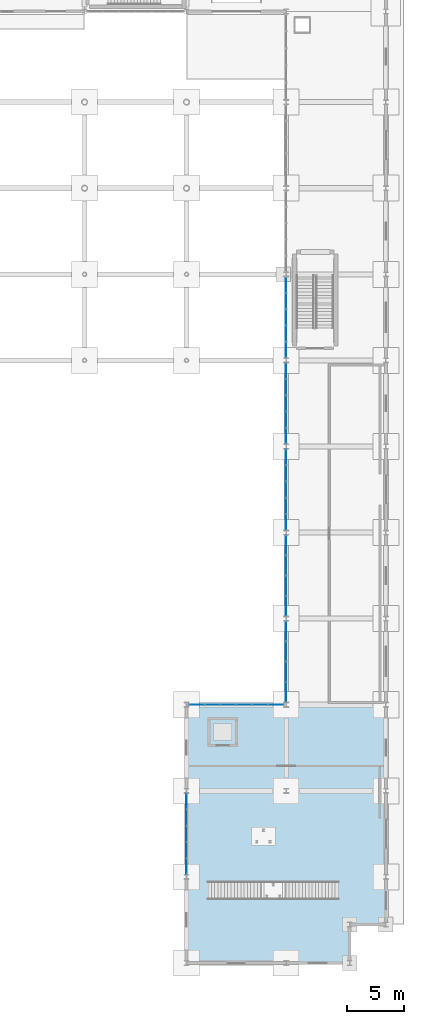
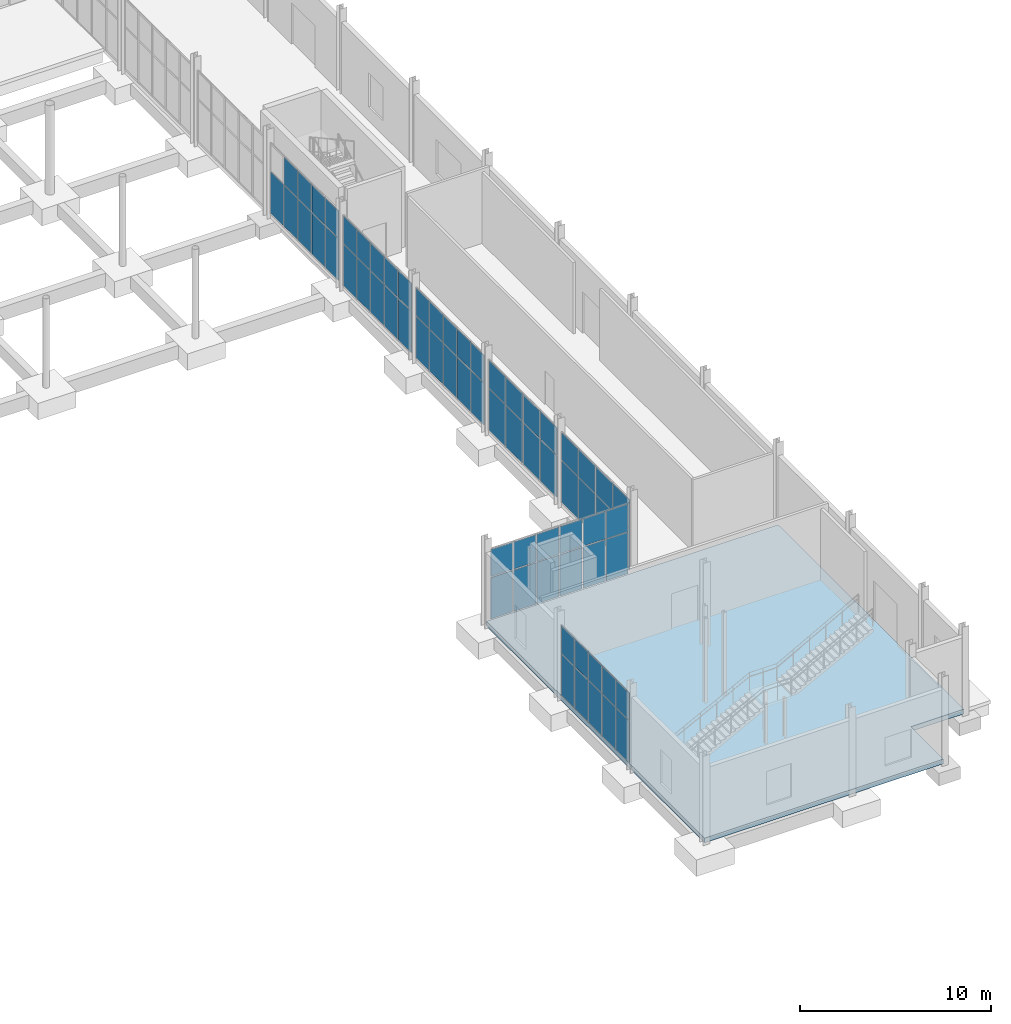
# One storey, part 66 of 95: 67 plates, 1 slab, 9 elements without a shape of their own.
"""IFC4 building model written with IfcOpenShell, lengths in metres."""

from ifc_helpers import new_model, si_unit, direction, frame, origin, origin_2d, place, context, subcontext, project, spatial, polyline, rectangle, outline, extrude, material, layer, layer_set, type_object, element, aggregate, save


model = new_model("IFC4")

# Units and contexts
model_context = context("Model", 3, precision=1e-05, world=origin(), true_north=direction((0.0, 1.0)))
body_context = subcontext(model_context, "Body", "Model", "MODEL_VIEW")
ifc_project = project(units=[si_unit("LENGTHUNIT", "METRE"), si_unit("AREAUNIT", "SQUARE_METRE"), si_unit("VOLUMEUNIT", "CUBIC_METRE"), si_unit("PLANEANGLEUNIT", "RADIAN"), si_unit("MASSUNIT", "GRAM", prefix="KILO")], contexts=[model_context])

# Site, building, storey
site_placement = place(None, origin())
site = spatial("IfcSite", under=ifc_project, at=site_placement, CompositionType="ELEMENT")
building_placement = place(site_placement, origin())
building = spatial("IfcBuilding", under=site, at=building_placement, Name="Shengluoqiao Park Theatre", CompositionType="ELEMENT")
storey_placement = place(building_placement, origin())
storey = spatial("IfcBuildingStorey", under=building, at=storey_placement, Name="L00", CompositionType="ELEMENT", Elevation=0.0)

# Curtain wall, plates
ifc_material_1 = material(Name="Aluminium 6063-T6", Category="aluminium")
curtain_wall_type = type_object("IfcCurtainWallType", Name="ENV-CW-COURT", PredefinedType="NOTDEFINED", material=ifc_material_1)
curtain_wall_1_placement = place(storey_placement, origin())
curtain_wall_1 = element("IfcCurtainWall", 1, at=curtain_wall_1_placement, inside=storey, type_object=curtain_wall_type, Name="L00 Curtain Wall CWX-L00-0168", PredefinedType="NOTDEFINED")
ifc_material_2 = material(Name="Insulated glass", Category="glass")
ifc_layer_1 = layer(ifc_material_2, 0.0380859375, Name="Insulated glass")
ifc_layer_set_1 = layer_set([ifc_layer_1], Name="Insulated glass")
plate_type = type_object("IfcPlateType", Name="ENV-GLZ-GL-38", PredefinedType="CURTAIN_PANEL", material=ifc_layer_set_1)
plate_1_placement = place(storey_placement, frame((157.199951171875, 23.91796875, 0.06005859375), z_axis=(0.0, 0.0, 1.0), x_axis=(0.0, 1.0, 0.0)))
plate_1 = element("IfcPlate", 2, at=plate_1_placement, type_object=plate_type, Name="CW-05 panel 1.1", PredefinedType="CURTAIN_PANEL", context=body_context, shape_type="SweptSolid", body=[
    extrude(rectangle(XDim=1.7080078125, YDim=0.0380859375, at=origin_2d()), origin(), (0.0, 0.0, 1.0), 2.639892578125),
])
plate_2_placement = place(storey_placement, frame((157.199951171875, 23.91796875, 2.760009765625), z_axis=(0.0, 0.0, 1.0), x_axis=(0.0, 1.0, 0.0)))
plate_2 = element("IfcPlate", 3, at=plate_2_placement, type_object=plate_type, Name="CW-05 panel 1.2", PredefinedType="CURTAIN_PANEL", context=body_context, shape_type="SweptSolid", body=[
    extrude(rectangle(XDim=1.7080078125, YDim=0.0380859375, at=origin_2d()), origin(), (0.0, 0.0, 1.0), 1.72998046875),
])
plate_3_placement = place(storey_placement, frame((157.199951171875, 25.68603515625, 0.06005859375), z_axis=(0.0, 0.0, 1.0), x_axis=(0.0, 1.0, 0.0)))
plate_3 = element("IfcPlate", 4, at=plate_3_placement, type_object=plate_type, Name="CW-05 panel 2.1", PredefinedType="CURTAIN_PANEL", context=body_context, shape_type="SweptSolid", body=[
    extrude(rectangle(XDim=1.7080078125, YDim=0.0380859375, at=origin_2d()), origin(), (0.0, 0.0, 1.0), 2.639892578125),
])
plate_4_placement = place(storey_placement, frame((157.199951171875, 25.68603515625, 2.760009765625), z_axis=(0.0, 0.0, 1.0), x_axis=(0.0, 1.0, 0.0)))
plate_4 = element("IfcPlate", 5, at=plate_4_placement, type_object=plate_type, Name="CW-05 panel 2.2", PredefinedType="CURTAIN_PANEL", context=body_context, shape_type="SweptSolid", body=[
    extrude(rectangle(XDim=1.7080078125, YDim=0.0380859375, at=origin_2d()), origin(), (0.0, 0.0, 1.0), 1.72998046875),
])
aggregate(curtain_wall_1, [plate_1, plate_2, plate_3, plate_4])

curtain_wall_2_placement = place(storey_placement, origin())
curtain_wall_2 = element("IfcCurtainWall", 6, at=curtain_wall_2_placement, inside=storey, type_object=curtain_wall_type, Name="L00 Curtain Wall CWX-L00-0169", PredefinedType="NOTDEFINED")
plate_5_placement = place(storey_placement, frame((157.199951171875, 27.513916015625, 0.06005859375), z_axis=(0.0, 0.0, 1.0), x_axis=(0.0, 1.0, 0.0)))
plate_5 = element("IfcPlate", 7, at=plate_5_placement, type_object=plate_type, Name="CW-05 panel 1.1", PredefinedType="CURTAIN_PANEL", context=body_context, shape_type="SweptSolid", body=[
    extrude(rectangle(XDim=1.7080078125, YDim=0.0380859375, at=origin_2d()), origin(), (0.0, 0.0, 1.0), 2.639892578125),
])
plate_6_placement = place(storey_placement, frame((157.199951171875, 27.513916015625, 2.760009765625), z_axis=(0.0, 0.0, 1.0), x_axis=(0.0, 1.0, 0.0)))
plate_6 = element("IfcPlate", 8, at=plate_6_placement, type_object=plate_type, Name="CW-05 panel 1.2", PredefinedType="CURTAIN_PANEL", context=body_context, shape_type="SweptSolid", body=[
    extrude(rectangle(XDim=1.7080078125, YDim=0.0380859375, at=origin_2d()), origin(), (0.0, 0.0, 1.0), 1.72998046875),
])
plate_7_placement = place(storey_placement, frame((157.199951171875, 29.281982421875, 0.06005859375), z_axis=(0.0, 0.0, 1.0), x_axis=(0.0, 1.0, 0.0)))
plate_7 = element("IfcPlate", 9, at=plate_7_placement, type_object=plate_type, Name="CW-05 panel 2.1", PredefinedType="CURTAIN_PANEL", context=body_context, shape_type="SweptSolid", body=[
    extrude(rectangle(XDim=1.7080078125, YDim=0.0380859375, at=origin_2d()), origin(), (0.0, 0.0, 1.0), 2.639892578125),
])
plate_8_placement = place(storey_placement, frame((157.199951171875, 29.281982421875, 2.760009765625), z_axis=(0.0, 0.0, 1.0), x_axis=(0.0, 1.0, 0.0)))
plate_8 = element("IfcPlate", 10, at=plate_8_placement, type_object=plate_type, Name="CW-05 panel 2.2", PredefinedType="CURTAIN_PANEL", context=body_context, shape_type="SweptSolid", body=[
    extrude(rectangle(XDim=1.7080078125, YDim=0.0380859375, at=origin_2d()), origin(), (0.0, 0.0, 1.0), 1.72998046875),
])
aggregate(curtain_wall_2, [plate_5, plate_6, plate_7, plate_8])

curtain_wall_3_placement = place(storey_placement, origin())
curtain_wall_3 = element("IfcCurtainWall", 11, at=curtain_wall_3_placement, inside=storey, type_object=curtain_wall_type, Name="L00 Curtain Wall CWX-L00-0170", PredefinedType="NOTDEFINED")
plate_9_placement = place(storey_placement, frame((157.199951171875, 31.51806640625, 0.06005859375), z_axis=(0.0, 0.0, 1.0), x_axis=(0.0, 1.0, 0.0)))
plate_9 = element("IfcPlate", 12, at=plate_9_placement, type_object=plate_type, Name="CW-05 panel 1.1", PredefinedType="CURTAIN_PANEL", context=body_context, shape_type="SweptSolid", body=[
    extrude(rectangle(XDim=1.7080078125, YDim=0.0380859375, at=origin_2d()), origin(), (0.0, 0.0, 1.0), 2.639892578125),
])
plate_10_placement = place(storey_placement, frame((157.199951171875, 31.51806640625, 2.760009765625), z_axis=(0.0, 0.0, 1.0), x_axis=(0.0, 1.0, 0.0)))
plate_10 = element("IfcPlate", 13, at=plate_10_placement, type_object=plate_type, Name="CW-05 panel 1.2", PredefinedType="CURTAIN_PANEL", context=body_context, shape_type="SweptSolid", body=[
    extrude(rectangle(XDim=1.7080078125, YDim=0.0380859375, at=origin_2d()), origin(), (0.0, 0.0, 1.0), 1.72998046875),
])
plate_11_placement = place(storey_placement, frame((157.199951171875, 33.285888671875, 0.06005859375), z_axis=(0.0, 0.0, 1.0), x_axis=(0.0, 1.0, 0.0)))
plate_11 = element("IfcPlate", 14, at=plate_11_placement, type_object=plate_type, Name="CW-05 panel 2.1", PredefinedType="CURTAIN_PANEL", context=body_context, shape_type="SweptSolid", body=[
    extrude(rectangle(XDim=1.7080078125, YDim=0.0380859375, at=origin_2d()), origin(), (0.0, 0.0, 1.0), 2.639892578125),
])
plate_12_placement = place(storey_placement, frame((157.199951171875, 33.285888671875, 2.760009765625), z_axis=(0.0, 0.0, 1.0), x_axis=(0.0, 1.0, 0.0)))
plate_12 = element("IfcPlate", 15, at=plate_12_placement, type_object=plate_type, Name="CW-05 panel 2.2", PredefinedType="CURTAIN_PANEL", context=body_context, shape_type="SweptSolid", body=[
    extrude(rectangle(XDim=1.7080078125, YDim=0.0380859375, at=origin_2d()), origin(), (0.0, 0.0, 1.0), 1.72998046875),
])
aggregate(curtain_wall_3, [plate_9, plate_10, plate_11, plate_12])

curtain_wall_4_placement = place(storey_placement, origin())
curtain_wall_4 = element("IfcCurtainWall", 16, at=curtain_wall_4_placement, inside=storey, type_object=curtain_wall_type, Name="L00 Curtain Wall CWX-L00-0171", PredefinedType="NOTDEFINED")
plate_13_placement = place(storey_placement, frame((157.199951171875, 35.114013671875, 0.06005859375), z_axis=(0.0, 0.0, 1.0), x_axis=(0.0, 1.0, 0.0)))
plate_13 = element("IfcPlate", 17, at=plate_13_placement, type_object=plate_type, Name="CW-05 panel 1.1", PredefinedType="CURTAIN_PANEL", context=body_context, shape_type="SweptSolid", body=[
    extrude(rectangle(XDim=1.7080078125, YDim=0.0380859375, at=origin_2d()), origin(), (0.0, 0.0, 1.0), 2.639892578125),
])
plate_14_placement = place(storey_placement, frame((157.199951171875, 35.114013671875, 2.760009765625), z_axis=(0.0, 0.0, 1.0), x_axis=(0.0, 1.0, 0.0)))
plate_14 = element("IfcPlate", 18, at=plate_14_placement, type_object=plate_type, Name="CW-05 panel 1.2", PredefinedType="CURTAIN_PANEL", context=body_context, shape_type="SweptSolid", body=[
    extrude(rectangle(XDim=1.7080078125, YDim=0.0380859375, at=origin_2d()), origin(), (0.0, 0.0, 1.0), 1.72998046875),
])
plate_15_placement = place(storey_placement, frame((157.199951171875, 36.882080078125, 0.06005859375), z_axis=(0.0, 0.0, 1.0), x_axis=(0.0, 1.0, 0.0)))
plate_15 = element("IfcPlate", 19, at=plate_15_placement, type_object=plate_type, Name="CW-05 panel 2.1", PredefinedType="CURTAIN_PANEL", context=body_context, shape_type="SweptSolid", body=[
    extrude(rectangle(XDim=1.7080078125, YDim=0.0380859375, at=origin_2d()), origin(), (0.0, 0.0, 1.0), 2.639892578125),
])
plate_16_placement = place(storey_placement, frame((157.199951171875, 36.882080078125, 2.760009765625), z_axis=(0.0, 0.0, 1.0), x_axis=(0.0, 1.0, 0.0)))
plate_16 = element("IfcPlate", 20, at=plate_16_placement, type_object=plate_type, Name="CW-05 panel 2.2", PredefinedType="CURTAIN_PANEL", context=body_context, shape_type="SweptSolid", body=[
    extrude(rectangle(XDim=1.7080078125, YDim=0.0380859375, at=origin_2d()), origin(), (0.0, 0.0, 1.0), 1.72998046875),
])
aggregate(curtain_wall_4, [plate_13, plate_14, plate_15, plate_16])

curtain_wall_5_placement = place(storey_placement, origin())
curtain_wall_5 = element("IfcCurtainWall", 21, at=curtain_wall_5_placement, inside=storey, type_object=curtain_wall_type, Name="L00 Curtain Wall CWX-L00-0172", PredefinedType="NOTDEFINED")
plate_17_placement = place(storey_placement, frame((157.199951171875, 38.938232421875, 0.06005859375), z_axis=(0.0, 0.0, 1.0), x_axis=(0.0, 1.0, 0.0)))
plate_17 = element("IfcPlate", 22, at=plate_17_placement, type_object=plate_type, Name="CW-05 panel 1.1", PredefinedType="CURTAIN_PANEL", context=body_context, shape_type="SweptSolid", body=[
    extrude(rectangle(XDim=1.348388671875, YDim=0.0380859375, at=origin_2d()), origin(), (0.0, 0.0, 1.0), 2.639892578125),
])
plate_18_placement = place(storey_placement, frame((157.199951171875, 38.938232421875, 2.760009765625), z_axis=(0.0, 0.0, 1.0), x_axis=(0.0, 1.0, 0.0)))
plate_18 = element("IfcPlate", 23, at=plate_18_placement, type_object=plate_type, Name="CW-05 panel 1.2", PredefinedType="CURTAIN_PANEL", context=body_context, shape_type="SweptSolid", body=[
    extrude(rectangle(XDim=1.348388671875, YDim=0.0380859375, at=origin_2d()), origin(), (0.0, 0.0, 1.0), 1.72998046875),
])
plate_19_placement = place(storey_placement, frame((157.199951171875, 40.361572265625, 0.06005859375), z_axis=(0.0, 0.0, 1.0), x_axis=(0.0, 1.0, 0.0)))
plate_19 = element("IfcPlate", 24, at=plate_19_placement, type_object=plate_type, Name="CW-05 panel 2.1", PredefinedType="CURTAIN_PANEL", context=body_context, shape_type="SweptSolid", body=[
    extrude(rectangle(XDim=1.37841796875, YDim=0.0380859375, at=origin_2d()), origin(), (0.0, 0.0, 1.0), 2.639892578125),
])
plate_20_placement = place(storey_placement, frame((157.199951171875, 40.361572265625, 2.760009765625), z_axis=(0.0, 0.0, 1.0), x_axis=(0.0, 1.0, 0.0)))
plate_20 = element("IfcPlate", 25, at=plate_20_placement, type_object=plate_type, Name="CW-05 panel 2.2", PredefinedType="CURTAIN_PANEL", context=body_context, shape_type="SweptSolid", body=[
    extrude(rectangle(XDim=1.37841796875, YDim=0.0380859375, at=origin_2d()), origin(), (0.0, 0.0, 1.0), 1.72998046875),
])
plate_21_placement = place(storey_placement, frame((157.199951171875, 41.800048828125, 0.06005859375), z_axis=(0.0, 0.0, 1.0), x_axis=(0.0, 1.0, 0.0)))
plate_21 = element("IfcPlate", 26, at=plate_21_placement, type_object=plate_type, Name="CW-05 panel 3.1", PredefinedType="CURTAIN_PANEL", context=body_context, shape_type="SweptSolid", body=[
    extrude(rectangle(XDim=1.37841796875, YDim=0.0380859375, at=origin_2d()), origin(), (0.0, 0.0, 1.0), 2.639892578125),
])
plate_22_placement = place(storey_placement, frame((157.199951171875, 41.800048828125, 2.760009765625), z_axis=(0.0, 0.0, 1.0), x_axis=(0.0, 1.0, 0.0)))
plate_22 = element("IfcPlate", 27, at=plate_22_placement, type_object=plate_type, Name="CW-05 panel 3.2", PredefinedType="CURTAIN_PANEL", context=body_context, shape_type="SweptSolid", body=[
    extrude(rectangle(XDim=1.37841796875, YDim=0.0380859375, at=origin_2d()), origin(), (0.0, 0.0, 1.0), 1.72998046875),
])
plate_23_placement = place(storey_placement, frame((157.199951171875, 43.23828125, 0.06005859375), z_axis=(0.0, 0.0, 1.0), x_axis=(0.0, 1.0, 0.0)))
plate_23 = element("IfcPlate", 28, at=plate_23_placement, type_object=plate_type, Name="CW-05 panel 4.1", PredefinedType="CURTAIN_PANEL", context=body_context, shape_type="SweptSolid", body=[
    extrude(rectangle(XDim=1.37841796875, YDim=0.0380859375, at=origin_2d()), origin(), (0.0, 0.0, 1.0), 2.639892578125),
])
plate_24_placement = place(storey_placement, frame((157.199951171875, 43.23828125, 2.760009765625), z_axis=(0.0, 0.0, 1.0), x_axis=(0.0, 1.0, 0.0)))
plate_24 = element("IfcPlate", 29, at=plate_24_placement, type_object=plate_type, Name="CW-05 panel 4.2", PredefinedType="CURTAIN_PANEL", context=body_context, shape_type="SweptSolid", body=[
    extrude(rectangle(XDim=1.37841796875, YDim=0.0380859375, at=origin_2d()), origin(), (0.0, 0.0, 1.0), 1.72998046875),
])
plate_25_placement = place(storey_placement, frame((157.199951171875, 44.661865234375, 0.06005859375), z_axis=(0.0, 0.0, 1.0), x_axis=(0.0, 1.0, 0.0)))
plate_25 = element("IfcPlate", 30, at=plate_25_placement, type_object=plate_type, Name="CW-05 panel 5.1", PredefinedType="CURTAIN_PANEL", context=body_context, shape_type="SweptSolid", body=[
    extrude(rectangle(XDim=1.348388671875, YDim=0.0380859375, at=origin_2d()), origin(), (0.0, 0.0, 1.0), 2.639892578125),
])
plate_26_placement = place(storey_placement, frame((157.199951171875, 44.661865234375, 2.760009765625), z_axis=(0.0, 0.0, 1.0), x_axis=(0.0, 1.0, 0.0)))
plate_26 = element("IfcPlate", 31, at=plate_26_placement, type_object=plate_type, Name="CW-05 panel 5.2", PredefinedType="CURTAIN_PANEL", context=body_context, shape_type="SweptSolid", body=[
    extrude(rectangle(XDim=1.348388671875, YDim=0.0380859375, at=origin_2d()), origin(), (0.0, 0.0, 1.0), 1.72998046875),
])
aggregate(curtain_wall_5, [plate_17, plate_18, plate_19, plate_20, plate_21, plate_22, plate_23, plate_24, plate_25, plate_26])

curtain_wall_6_placement = place(storey_placement, origin())
curtain_wall_6 = element("IfcCurtainWall", 32, at=curtain_wall_6_placement, inside=storey, type_object=curtain_wall_type, Name="L00 Curtain Wall CWX-L00-0173", PredefinedType="NOTDEFINED")
plate_27_placement = place(storey_placement, frame((157.199951171875, 46.5380859375, 0.06005859375), z_axis=(0.0, 0.0, 1.0), x_axis=(0.0, 1.0, 0.0)))
plate_27 = element("IfcPlate", 33, at=plate_27_placement, type_object=plate_type, Name="CW-05 panel 1.1", PredefinedType="CURTAIN_PANEL", context=body_context, shape_type="SweptSolid", body=[
    extrude(rectangle(XDim=1.348388671875, YDim=0.0380859375, at=origin_2d()), origin(), (0.0, 0.0, 1.0), 2.635009765625),
])
plate_28_placement = place(storey_placement, frame((157.199951171875, 46.5380859375, 2.7548828125), z_axis=(0.0, 0.0, 1.0), x_axis=(0.0, 1.0, 0.0)))
plate_28 = element("IfcPlate", 34, at=plate_28_placement, type_object=plate_type, Name="CW-05 panel 1.2", PredefinedType="CURTAIN_PANEL", context=body_context, shape_type="SweptSolid", body=[
    extrude(rectangle(XDim=1.348388671875, YDim=0.0380859375, at=origin_2d()), origin(), (0.0, 0.0, 1.0), 1.72705078125),
])
plate_29_placement = place(storey_placement, frame((157.199951171875, 47.961669921875, 0.06005859375), z_axis=(0.0, 0.0, 1.0), x_axis=(0.0, 1.0, 0.0)))
plate_29 = element("IfcPlate", 35, at=plate_29_placement, type_object=plate_type, Name="CW-05 panel 2.1", PredefinedType="CURTAIN_PANEL", context=body_context, shape_type="SweptSolid", body=[
    extrude(rectangle(XDim=1.37841796875, YDim=0.0380859375, at=origin_2d()), origin(), (0.0, 0.0, 1.0), 2.635009765625),
])
plate_30_placement = place(storey_placement, frame((157.199951171875, 47.961669921875, 2.7548828125), z_axis=(0.0, 0.0, 1.0), x_axis=(0.0, 1.0, 0.0)))
plate_30 = element("IfcPlate", 36, at=plate_30_placement, type_object=plate_type, Name="CW-05 panel 2.2", PredefinedType="CURTAIN_PANEL", context=body_context, shape_type="SweptSolid", body=[
    extrude(rectangle(XDim=1.37841796875, YDim=0.0380859375, at=origin_2d()), origin(), (0.0, 0.0, 1.0), 1.72705078125),
])
plate_31_placement = place(storey_placement, frame((157.199951171875, 49.39990234375, 0.06005859375), z_axis=(0.0, 0.0, 1.0), x_axis=(0.0, 1.0, 0.0)))
plate_31 = element("IfcPlate", 37, at=plate_31_placement, type_object=plate_type, Name="CW-05 panel 3.1", PredefinedType="CURTAIN_PANEL", context=body_context, shape_type="SweptSolid", body=[
    extrude(rectangle(XDim=1.37841796875, YDim=0.0380859375, at=origin_2d()), origin(), (0.0, 0.0, 1.0), 2.635009765625),
])
plate_32_placement = place(storey_placement, frame((157.199951171875, 49.39990234375, 2.7548828125), z_axis=(0.0, 0.0, 1.0), x_axis=(0.0, 1.0, 0.0)))
plate_32 = element("IfcPlate", 38, at=plate_32_placement, type_object=plate_type, Name="CW-05 panel 3.2", PredefinedType="CURTAIN_PANEL", context=body_context, shape_type="SweptSolid", body=[
    extrude(rectangle(XDim=1.37841796875, YDim=0.0380859375, at=origin_2d()), origin(), (0.0, 0.0, 1.0), 1.72705078125),
])
plate_33_placement = place(storey_placement, frame((157.199951171875, 50.83837890625, 0.06005859375), z_axis=(0.0, 0.0, 1.0), x_axis=(0.0, 1.0, 0.0)))
plate_33 = element("IfcPlate", 39, at=plate_33_placement, type_object=plate_type, Name="CW-05 panel 4.1", PredefinedType="CURTAIN_PANEL", context=body_context, shape_type="SweptSolid", body=[
    extrude(rectangle(XDim=1.37841796875, YDim=0.0380859375, at=origin_2d()), origin(), (0.0, 0.0, 1.0), 2.635009765625),
])
plate_34_placement = place(storey_placement, frame((157.199951171875, 50.83837890625, 2.7548828125), z_axis=(0.0, 0.0, 1.0), x_axis=(0.0, 1.0, 0.0)))
plate_34 = element("IfcPlate", 40, at=plate_34_placement, type_object=plate_type, Name="CW-05 panel 4.2", PredefinedType="CURTAIN_PANEL", context=body_context, shape_type="SweptSolid", body=[
    extrude(rectangle(XDim=1.37841796875, YDim=0.0380859375, at=origin_2d()), origin(), (0.0, 0.0, 1.0), 1.72705078125),
])
plate_35_placement = place(storey_placement, frame((157.199951171875, 52.26171875, 0.06005859375), z_axis=(0.0, 0.0, 1.0), x_axis=(0.0, 1.0, 0.0)))
plate_35 = element("IfcPlate", 41, at=plate_35_placement, type_object=plate_type, Name="CW-05 panel 5.1", PredefinedType="CURTAIN_PANEL", context=body_context, shape_type="SweptSolid", body=[
    extrude(rectangle(XDim=1.348388671875, YDim=0.0380859375, at=origin_2d()), origin(), (0.0, 0.0, 1.0), 2.635009765625),
])
plate_36_placement = place(storey_placement, frame((157.199951171875, 52.26171875, 2.7548828125), z_axis=(0.0, 0.0, 1.0), x_axis=(0.0, 1.0, 0.0)))
plate_36 = element("IfcPlate", 42, at=plate_36_placement, type_object=plate_type, Name="CW-05 panel 5.2", PredefinedType="CURTAIN_PANEL", context=body_context, shape_type="SweptSolid", body=[
    extrude(rectangle(XDim=1.348388671875, YDim=0.0380859375, at=origin_2d()), origin(), (0.0, 0.0, 1.0), 1.72705078125),
])
aggregate(curtain_wall_6, [plate_27, plate_28, plate_29, plate_30, plate_31, plate_32, plate_33, plate_34, plate_35, plate_36])

curtain_wall_7_placement = place(storey_placement, origin())
curtain_wall_7 = element("IfcCurtainWall", 43, at=curtain_wall_7_placement, inside=storey, type_object=curtain_wall_type, Name="L00 Curtain Wall CWX-L00-0174", PredefinedType="NOTDEFINED")
plate_37_placement = place(storey_placement, frame((157.199951171875, 54.13818359375, 0.06005859375), z_axis=(0.0, 0.0, 1.0), x_axis=(0.0, 1.0, 0.0)))
plate_37 = element("IfcPlate", 44, at=plate_37_placement, type_object=plate_type, Name="CW-05 panel 1.1", PredefinedType="CURTAIN_PANEL", context=body_context, shape_type="SweptSolid", body=[
    extrude(rectangle(XDim=1.348388671875, YDim=0.0380859375, at=origin_2d()), origin(), (0.0, 0.0, 1.0), 2.635009765625),
])
plate_38_placement = place(storey_placement, frame((157.199951171875, 54.13818359375, 2.7548828125), z_axis=(0.0, 0.0, 1.0), x_axis=(0.0, 1.0, 0.0)))
plate_38 = element("IfcPlate", 45, at=plate_38_placement, type_object=plate_type, Name="CW-05 panel 1.2", PredefinedType="CURTAIN_PANEL", context=body_context, shape_type="SweptSolid", body=[
    extrude(rectangle(XDim=1.348388671875, YDim=0.0380859375, at=origin_2d()), origin(), (0.0, 0.0, 1.0), 1.72705078125),
])
plate_39_placement = place(storey_placement, frame((157.199951171875, 55.5615234375, 0.06005859375), z_axis=(0.0, 0.0, 1.0), x_axis=(0.0, 1.0, 0.0)))
plate_39 = element("IfcPlate", 46, at=plate_39_placement, type_object=plate_type, Name="CW-05 panel 2.1", PredefinedType="CURTAIN_PANEL", context=body_context, shape_type="SweptSolid", body=[
    extrude(rectangle(XDim=1.37841796875, YDim=0.0380859375, at=origin_2d()), origin(), (0.0, 0.0, 1.0), 2.635009765625),
])
plate_40_placement = place(storey_placement, frame((157.199951171875, 55.5615234375, 2.7548828125), z_axis=(0.0, 0.0, 1.0), x_axis=(0.0, 1.0, 0.0)))
plate_40 = element("IfcPlate", 47, at=plate_40_placement, type_object=plate_type, Name="CW-05 panel 2.2", PredefinedType="CURTAIN_PANEL", context=body_context, shape_type="SweptSolid", body=[
    extrude(rectangle(XDim=1.37841796875, YDim=0.0380859375, at=origin_2d()), origin(), (0.0, 0.0, 1.0), 1.72705078125),
])
plate_41_placement = place(storey_placement, frame((157.199951171875, 57.0, 0.06005859375), z_axis=(0.0, 0.0, 1.0), x_axis=(0.0, 1.0, 0.0)))
plate_41 = element("IfcPlate", 48, at=plate_41_placement, type_object=plate_type, Name="CW-05 panel 3.1", PredefinedType="CURTAIN_PANEL", context=body_context, shape_type="SweptSolid", body=[
    extrude(rectangle(XDim=1.37841796875, YDim=0.0380859375, at=origin_2d()), origin(), (0.0, 0.0, 1.0), 2.635009765625),
])
plate_42_placement = place(storey_placement, frame((157.199951171875, 57.0, 2.7548828125), z_axis=(0.0, 0.0, 1.0), x_axis=(0.0, 1.0, 0.0)))
plate_42 = element("IfcPlate", 49, at=plate_42_placement, type_object=plate_type, Name="CW-05 panel 3.2", PredefinedType="CURTAIN_PANEL", context=body_context, shape_type="SweptSolid", body=[
    extrude(rectangle(XDim=1.37841796875, YDim=0.0380859375, at=origin_2d()), origin(), (0.0, 0.0, 1.0), 1.72705078125),
])
plate_43_placement = place(storey_placement, frame((157.199951171875, 58.4384765625, 0.06005859375), z_axis=(0.0, 0.0, 1.0), x_axis=(0.0, 1.0, 0.0)))
plate_43 = element("IfcPlate", 50, at=plate_43_placement, type_object=plate_type, Name="CW-05 panel 4.1", PredefinedType="CURTAIN_PANEL", context=body_context, shape_type="SweptSolid", body=[
    extrude(rectangle(XDim=1.37841796875, YDim=0.0380859375, at=origin_2d()), origin(), (0.0, 0.0, 1.0), 2.635009765625),
])
plate_44_placement = place(storey_placement, frame((157.199951171875, 58.4384765625, 2.7548828125), z_axis=(0.0, 0.0, 1.0), x_axis=(0.0, 1.0, 0.0)))
plate_44 = element("IfcPlate", 51, at=plate_44_placement, type_object=plate_type, Name="CW-05 panel 4.2", PredefinedType="CURTAIN_PANEL", context=body_context, shape_type="SweptSolid", body=[
    extrude(rectangle(XDim=1.37841796875, YDim=0.0380859375, at=origin_2d()), origin(), (0.0, 0.0, 1.0), 1.72705078125),
])
plate_45_placement = place(storey_placement, frame((157.199951171875, 59.86181640625, 0.06005859375), z_axis=(0.0, 0.0, 1.0), x_axis=(0.0, 1.0, 0.0)))
plate_45 = element("IfcPlate", 52, at=plate_45_placement, type_object=plate_type, Name="CW-05 panel 5.1", PredefinedType="CURTAIN_PANEL", context=body_context, shape_type="SweptSolid", body=[
    extrude(rectangle(XDim=1.348388671875, YDim=0.0380859375, at=origin_2d()), origin(), (0.0, 0.0, 1.0), 2.635009765625),
])
aggregate(curtain_wall_7, [plate_37, plate_38, plate_39, plate_40, plate_41, plate_42, plate_43, plate_44, plate_45])

curtain_wall_8_placement = place(storey_placement, origin())
curtain_wall_8 = element("IfcCurtainWall", 53, at=curtain_wall_8_placement, inside=storey, type_object=curtain_wall_type, Name="L00 Curtain Wall CWX-L00-0203", PredefinedType="NOTDEFINED")
plate_46_placement = place(storey_placement, frame((148.39990234375, 8.5380859375, 0.06005859375), z_axis=(0.0, 0.0, 1.0), x_axis=(0.0, 1.0, 0.0)))
plate_46 = element("IfcPlate", 54, at=plate_46_placement, type_object=plate_type, Name="CW-05 panel 1.1", PredefinedType="CURTAIN_PANEL", context=body_context, shape_type="SweptSolid", body=[
    extrude(rectangle(XDim=1.348388671875, YDim=0.0380859375, at=origin_2d()), origin(), (0.0, 0.0, 1.0), 2.639892578125),
])
plate_47_placement = place(storey_placement, frame((148.39990234375, 8.5380859375, 2.760009765625), z_axis=(0.0, 0.0, 1.0), x_axis=(0.0, 1.0, 0.0)))
plate_47 = element("IfcPlate", 55, at=plate_47_placement, type_object=plate_type, Name="CW-05 panel 1.2", PredefinedType="CURTAIN_PANEL", context=body_context, shape_type="SweptSolid", body=[
    extrude(rectangle(XDim=1.348388671875, YDim=0.0380859375, at=origin_2d()), origin(), (0.0, 0.0, 1.0), 1.72998046875),
])
plate_48_placement = place(storey_placement, frame((148.39990234375, 9.961669921875, 0.06005859375), z_axis=(0.0, 0.0, 1.0), x_axis=(0.0, 1.0, 0.0)))
plate_48 = element("IfcPlate", 56, at=plate_48_placement, type_object=plate_type, Name="CW-05 panel 2.1", PredefinedType="CURTAIN_PANEL", context=body_context, shape_type="SweptSolid", body=[
    extrude(rectangle(XDim=1.37841796875, YDim=0.0380859375, at=origin_2d()), origin(), (0.0, 0.0, 1.0), 2.639892578125),
])
plate_49_placement = place(storey_placement, frame((148.39990234375, 9.961669921875, 2.760009765625), z_axis=(0.0, 0.0, 1.0), x_axis=(0.0, 1.0, 0.0)))
plate_49 = element("IfcPlate", 57, at=plate_49_placement, type_object=plate_type, Name="CW-05 panel 2.2", PredefinedType="CURTAIN_PANEL", context=body_context, shape_type="SweptSolid", body=[
    extrude(rectangle(XDim=1.37841796875, YDim=0.0380859375, at=origin_2d()), origin(), (0.0, 0.0, 1.0), 1.72998046875),
])
plate_50_placement = place(storey_placement, frame((148.39990234375, 11.39990234375, 0.06005859375), z_axis=(0.0, 0.0, 1.0), x_axis=(0.0, 1.0, 0.0)))
plate_50 = element("IfcPlate", 58, at=plate_50_placement, type_object=plate_type, Name="CW-05 panel 3.1", PredefinedType="CURTAIN_PANEL", context=body_context, shape_type="SweptSolid", body=[
    extrude(rectangle(XDim=1.37841796875, YDim=0.0380859375, at=origin_2d()), origin(), (0.0, 0.0, 1.0), 2.639892578125),
])
plate_51_placement = place(storey_placement, frame((148.39990234375, 11.39990234375, 2.760009765625), z_axis=(0.0, 0.0, 1.0), x_axis=(0.0, 1.0, 0.0)))
plate_51 = element("IfcPlate", 59, at=plate_51_placement, type_object=plate_type, Name="CW-05 panel 3.2", PredefinedType="CURTAIN_PANEL", context=body_context, shape_type="SweptSolid", body=[
    extrude(rectangle(XDim=1.37841796875, YDim=0.0380859375, at=origin_2d()), origin(), (0.0, 0.0, 1.0), 1.72998046875),
])
plate_52_placement = place(storey_placement, frame((148.39990234375, 12.83837890625, 0.06005859375), z_axis=(0.0, 0.0, 1.0), x_axis=(0.0, 1.0, 0.0)))
plate_52 = element("IfcPlate", 60, at=plate_52_placement, type_object=plate_type, Name="CW-05 panel 4.1", PredefinedType="CURTAIN_PANEL", context=body_context, shape_type="SweptSolid", body=[
    extrude(rectangle(XDim=1.37841796875, YDim=0.0380859375, at=origin_2d()), origin(), (0.0, 0.0, 1.0), 2.639892578125),
])
plate_53_placement = place(storey_placement, frame((148.39990234375, 12.83837890625, 2.760009765625), z_axis=(0.0, 0.0, 1.0), x_axis=(0.0, 1.0, 0.0)))
plate_53 = element("IfcPlate", 61, at=plate_53_placement, type_object=plate_type, Name="CW-05 panel 4.2", PredefinedType="CURTAIN_PANEL", context=body_context, shape_type="SweptSolid", body=[
    extrude(rectangle(XDim=1.37841796875, YDim=0.0380859375, at=origin_2d()), origin(), (0.0, 0.0, 1.0), 1.72998046875),
])
plate_54_placement = place(storey_placement, frame((148.39990234375, 14.26171875, 0.06005859375), z_axis=(0.0, 0.0, 1.0), x_axis=(0.0, 1.0, 0.0)))
plate_54 = element("IfcPlate", 62, at=plate_54_placement, type_object=plate_type, Name="CW-05 panel 5.1", PredefinedType="CURTAIN_PANEL", context=body_context, shape_type="SweptSolid", body=[
    extrude(rectangle(XDim=1.348388671875, YDim=0.0380859375, at=origin_2d()), origin(), (0.0, 0.0, 1.0), 2.639892578125),
])
plate_55_placement = place(storey_placement, frame((148.39990234375, 14.26171875, 2.760009765625), z_axis=(0.0, 0.0, 1.0), x_axis=(0.0, 1.0, 0.0)))
plate_55 = element("IfcPlate", 63, at=plate_55_placement, type_object=plate_type, Name="CW-05 panel 5.2", PredefinedType="CURTAIN_PANEL", context=body_context, shape_type="SweptSolid", body=[
    extrude(rectangle(XDim=1.348388671875, YDim=0.0380859375, at=origin_2d()), origin(), (0.0, 0.0, 1.0), 1.72998046875),
])
aggregate(curtain_wall_8, [plate_46, plate_47, plate_48, plate_49, plate_50, plate_51, plate_52, plate_53, plate_54, plate_55])

curtain_wall_9_placement = place(storey_placement, origin())
curtain_wall_9 = element("IfcCurtainWall", 64, at=curtain_wall_9_placement, inside=storey, type_object=curtain_wall_type, Name="L00 Curtain Wall CWX-L00-0204", PredefinedType="NOTDEFINED")
plate_56_placement = place(storey_placement, frame((149.32177734375, 22.800048828125, 0.06005859375), z_axis=(0.0, 0.0, 1.0), x_axis=(1.0, 0.0, 0.0)))
plate_56 = element("IfcPlate", 65, at=plate_56_placement, type_object=plate_type, Name="CW-05 panel 1.1", PredefinedType="CURTAIN_PANEL", context=body_context, shape_type="SweptSolid", body=[
    extrude(rectangle(XDim=1.307373046875, YDim=0.0380859375, at=origin_2d()), origin(), (0.0, 0.0, 1.0), 2.639892578125),
])
plate_57_placement = place(storey_placement, frame((149.32177734375, 22.800048828125, 2.760009765625), z_axis=(0.0, 0.0, 1.0), x_axis=(1.0, 0.0, 0.0)))
plate_57 = element("IfcPlate", 66, at=plate_57_placement, type_object=plate_type, Name="CW-05 panel 1.2", PredefinedType="CURTAIN_PANEL", context=body_context, shape_type="SweptSolid", body=[
    extrude(rectangle(XDim=1.307373046875, YDim=0.0380859375, at=origin_2d()), origin(), (0.0, 0.0, 1.0), 1.72998046875),
])
plate_58_placement = place(storey_placement, frame((150.7041015625, 22.800048828125, 0.06005859375), z_axis=(0.0, 0.0, 1.0), x_axis=(1.0, 0.0, 0.0)))
plate_58 = element("IfcPlate", 67, at=plate_58_placement, type_object=plate_type, Name="CW-05 panel 2.1", PredefinedType="CURTAIN_PANEL", context=body_context, shape_type="SweptSolid", body=[
    extrude(rectangle(XDim=1.33740234375, YDim=0.0380859375, at=origin_2d()), origin(), (0.0, 0.0, 1.0), 2.639892578125),
])
plate_59_placement = place(storey_placement, frame((150.7041015625, 22.800048828125, 2.760009765625), z_axis=(0.0, 0.0, 1.0), x_axis=(1.0, 0.0, 0.0)))
plate_59 = element("IfcPlate", 68, at=plate_59_placement, type_object=plate_type, Name="CW-05 panel 2.2", PredefinedType="CURTAIN_PANEL", context=body_context, shape_type="SweptSolid", body=[
    extrude(rectangle(XDim=1.33740234375, YDim=0.0380859375, at=origin_2d()), origin(), (0.0, 0.0, 1.0), 1.72998046875),
])
plate_60_placement = place(storey_placement, frame((152.101318359375, 22.800048828125, 0.06005859375), z_axis=(0.0, 0.0, 1.0), x_axis=(1.0, 0.0, 0.0)))
plate_60 = element("IfcPlate", 69, at=plate_60_placement, type_object=plate_type, Name="CW-05 panel 3.1", PredefinedType="CURTAIN_PANEL", context=body_context, shape_type="SweptSolid", body=[
    extrude(rectangle(XDim=1.33740234375, YDim=0.0380859375, at=origin_2d()), origin(), (0.0, 0.0, 1.0), 2.639892578125),
])
plate_61_placement = place(storey_placement, frame((152.101318359375, 22.800048828125, 2.760009765625), z_axis=(0.0, 0.0, 1.0), x_axis=(1.0, 0.0, 0.0)))
plate_61 = element("IfcPlate", 70, at=plate_61_placement, type_object=plate_type, Name="CW-05 panel 3.2", PredefinedType="CURTAIN_PANEL", context=body_context, shape_type="SweptSolid", body=[
    extrude(rectangle(XDim=1.33740234375, YDim=0.0380859375, at=origin_2d()), origin(), (0.0, 0.0, 1.0), 1.72998046875),
])
plate_62_placement = place(storey_placement, frame((153.498779296875, 22.800048828125, 0.06005859375), z_axis=(0.0, 0.0, 1.0), x_axis=(1.0, 0.0, 0.0)))
plate_62 = element("IfcPlate", 71, at=plate_62_placement, type_object=plate_type, Name="CW-05 panel 4.1", PredefinedType="CURTAIN_PANEL", context=body_context, shape_type="SweptSolid", body=[
    extrude(rectangle(XDim=1.33740234375, YDim=0.0380859375, at=origin_2d()), origin(), (0.0, 0.0, 1.0), 2.639892578125),
])
plate_63_placement = place(storey_placement, frame((153.498779296875, 22.800048828125, 2.760009765625), z_axis=(0.0, 0.0, 1.0), x_axis=(1.0, 0.0, 0.0)))
plate_63 = element("IfcPlate", 72, at=plate_63_placement, type_object=plate_type, Name="CW-05 panel 4.2", PredefinedType="CURTAIN_PANEL", context=body_context, shape_type="SweptSolid", body=[
    extrude(rectangle(XDim=1.33740234375, YDim=0.0380859375, at=origin_2d()), origin(), (0.0, 0.0, 1.0), 1.72998046875),
])
plate_64_placement = place(storey_placement, frame((154.89599609375, 22.800048828125, 0.06005859375), z_axis=(0.0, 0.0, 1.0), x_axis=(1.0, 0.0, 0.0)))
plate_64 = element("IfcPlate", 73, at=plate_64_placement, type_object=plate_type, Name="CW-05 panel 5.1", PredefinedType="CURTAIN_PANEL", context=body_context, shape_type="SweptSolid", body=[
    extrude(rectangle(XDim=1.33740234375, YDim=0.0380859375, at=origin_2d()), origin(), (0.0, 0.0, 1.0), 2.639892578125),
])
plate_65_placement = place(storey_placement, frame((154.89599609375, 22.800048828125, 2.760009765625), z_axis=(0.0, 0.0, 1.0), x_axis=(1.0, 0.0, 0.0)))
plate_65 = element("IfcPlate", 74, at=plate_65_placement, type_object=plate_type, Name="CW-05 panel 5.2", PredefinedType="CURTAIN_PANEL", context=body_context, shape_type="SweptSolid", body=[
    extrude(rectangle(XDim=1.33740234375, YDim=0.0380859375, at=origin_2d()), origin(), (0.0, 0.0, 1.0), 1.72998046875),
])
plate_66_placement = place(storey_placement, frame((156.2783203125, 22.800048828125, 0.06005859375), z_axis=(0.0, 0.0, 1.0), x_axis=(1.0, 0.0, 0.0)))
plate_66 = element("IfcPlate", 75, at=plate_66_placement, type_object=plate_type, Name="CW-05 panel 6.1", PredefinedType="CURTAIN_PANEL", context=body_context, shape_type="SweptSolid", body=[
    extrude(rectangle(XDim=1.307373046875, YDim=0.0380859375, at=origin_2d()), origin(), (0.0, 0.0, 1.0), 2.639892578125),
])
plate_67_placement = place(storey_placement, frame((156.2783203125, 22.800048828125, 2.760009765625), z_axis=(0.0, 0.0, 1.0), x_axis=(1.0, 0.0, 0.0)))
plate_67 = element("IfcPlate", 76, at=plate_67_placement, type_object=plate_type, Name="CW-05 panel 6.2", PredefinedType="CURTAIN_PANEL", context=body_context, shape_type="SweptSolid", body=[
    extrude(rectangle(XDim=1.307373046875, YDim=0.0380859375, at=origin_2d()), origin(), (0.0, 0.0, 1.0), 1.72998046875),
])
aggregate(curtain_wall_9, [plate_56, plate_57, plate_58, plate_59, plate_60, plate_61, plate_62, plate_63, plate_64, plate_65, plate_66, plate_67])

# Slab
ifc_material_3 = material(Name="Concrete C40", Category="concrete")
ifc_layer_2 = layer(ifc_material_3, 0.300048828125, Name="Concrete C40")
ifc_layer_set_2 = layer_set([ifc_layer_2], Name="Concrete C40")
slab_type = type_object("IfcSlabType", Name="STR-SLB-FL300", PredefinedType="FLOOR", material=ifc_layer_set_2)
slab_placement = place(storey_placement, frame((0.0, 0.0, -0.300048828125)))
element("IfcSlab", 77, at=slab_placement, inside=storey, type_object=slab_type, Name="Floor Slab L00-V6-SE", PredefinedType="FLOOR", context=body_context, shape_type="SweptSolid", body=[
    extrude(outline(polyline([(148.39990234375, 22.800048828125), (166.0, 22.800048828125), (166.0, 3.39990234375), (162.800048828125, 3.39990234375), (162.800048828125, 0.0), (148.39990234375, 0.0), (148.39990234375, 22.800048828125)])), origin(), (0.0, 0.0, 1.0), 0.300048828125),
])

save(model, "model.ifc")
